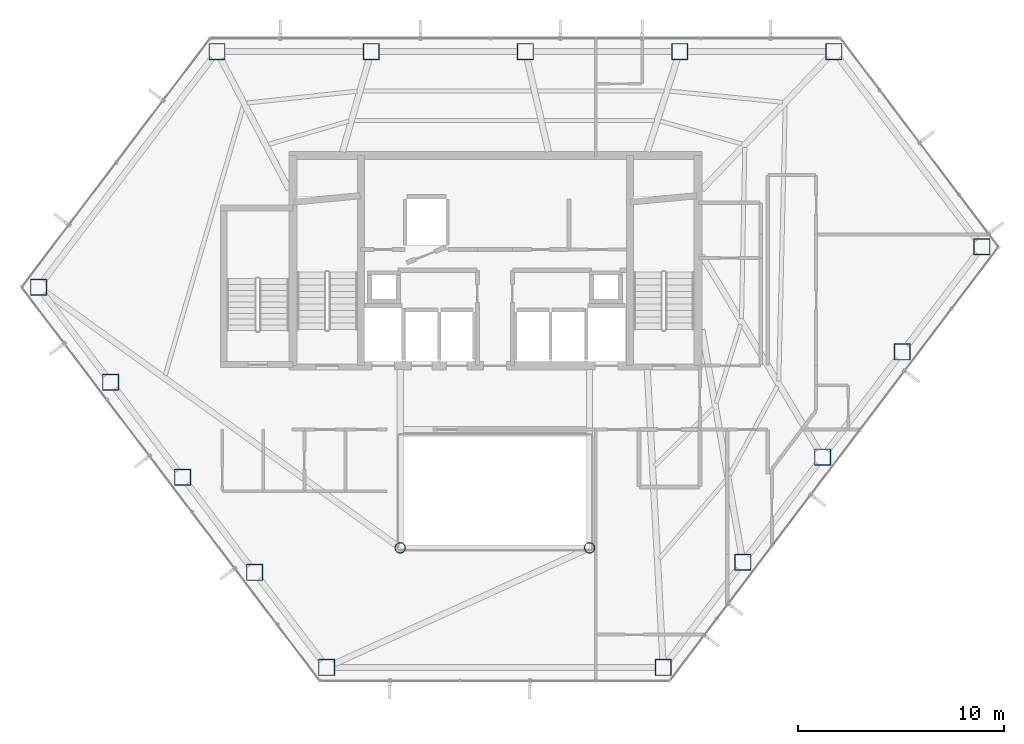
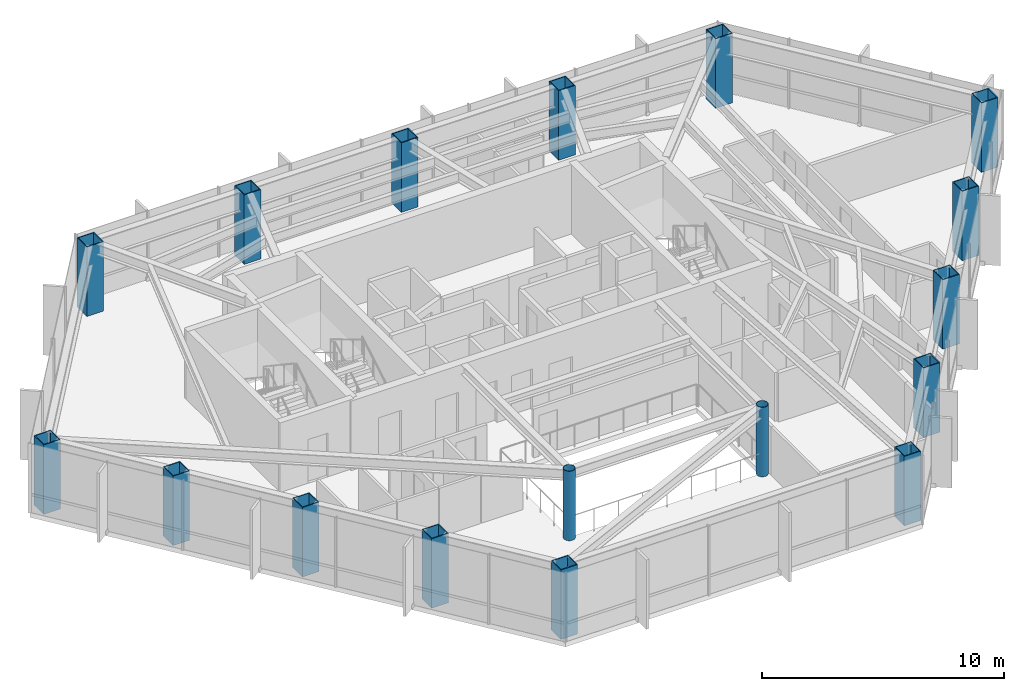
# One storey, part 1 of 29: 17 columns.
"""IFC4 building model written with IfcOpenShell, lengths in metres."""

from ifc_helpers import new_model, si_unit, direction, frame, origin, origin_2d, place, context, subcontext, project, spatial, hollow_rectangle, hollow_circle, extrude, material, material_profile, profile_set, type_object, element, save


model = new_model("IFC4")

# Units and contexts
model_context = context("Model", 3, precision=1e-05, world=origin(), true_north=direction((0.0, 1.0)))
body_context = subcontext(model_context, "Body", "Model", "MODEL_VIEW")
ifc_project = project(units=[si_unit("LENGTHUNIT", "METRE"), si_unit("AREAUNIT", "SQUARE_METRE"), si_unit("VOLUMEUNIT", "CUBIC_METRE"), si_unit("PLANEANGLEUNIT", "RADIAN"), si_unit("MASSUNIT", "GRAM", prefix="KILO")], contexts=[model_context])

# Site, building, storey
site_placement = place(None, origin())
site = spatial("IfcSite", under=ifc_project, at=site_placement, CompositionType="ELEMENT")
building_placement = place(site_placement, origin())
building = spatial("IfcBuilding", under=site, at=building_placement, Name="Zarrinselat Tower", CompositionType="ELEMENT")
storey_placement = place(building_placement, frame((0.0, 0.0, 138.3798828125)))
storey = spatial("IfcBuildingStorey", under=building, at=storey_placement, Name="L33", CompositionType="ELEMENT", Elevation=138.3798828125)

# Columns
ifc_material_1 = material(Name="Steel S355J2", Category="steel")
ifc_material_profile_1 = material_profile(ifc_material_1, hollow_circle(Radius=0.25390625, WallThickness=0.02001953125, at=origin_2d()), Name="CHS 508x20")
ifc_profile_set_1 = profile_set([ifc_material_profile_1], Name="Steel S355J2")
column_type_1 = type_object("IfcColumnType", Name="COL-CHS508", PredefinedType="COLUMN", material=ifc_profile_set_1)
for number, where, z_axis, x_axis, name in (
    (1, (33.800048828125, 24.39990234375, 0.0), (0.0, 0.0, 1.0), (1.0, 0.0, 0.0), "L33 Atrium Corner Column 1"),
    (2, (43.0, 24.39990234375, 0.0), (0.0, 0.0, 1.0), (1.0, 0.0, 0.0), "L33 Atrium Corner Column 2"),
):
    element("IfcColumn", number, at=place(storey_placement, frame(where, z_axis=z_axis, x_axis=x_axis)), inside=storey, type_object=column_type_1, Name=name, PredefinedType="COLUMN", context=body_context, shape_type="SweptSolid", body=[
        extrude(hollow_circle(Radius=0.25390625, WallThickness=0.02001953125, at=origin_2d()), origin(), (0.0, 0.0, 1.0), 3.5),
    ])
ifc_material_2 = material(Name="Steel S460M", Category="steel")
ifc_material_profile_2 = material_profile(ifc_material_2, hollow_rectangle(XDim=0.800048828125, YDim=0.800048828125, WallThickness=0.0400390625, at=origin_2d()), Name="SHS 800x800x40")
ifc_profile_set_2 = profile_set([ifc_material_profile_2], Name="Steel S460M")
column_type_2 = type_object("IfcColumnType", Name="COL-SHS800", PredefinedType="COLUMN", material=ifc_profile_set_2)
for number, where, z_axis, x_axis, name in (
    (3, (54.864990234375, 48.5, 0.0), (0.0, 0.0, 1.0), (1.0, 0.0, 0.0), "L33 Framed-Tube Column T01"),
    (4, (47.375, 48.5, 0.0), (0.0, 0.0, 1.0), (1.0, 0.0, 0.0), "L33 Framed-Tube Column T02"),
    (5, (39.884765625, 48.5, 0.0), (0.0, 0.0, 1.0), (1.0, 0.0, 0.0), "L33 Framed-Tube Column T03"),
    (6, (32.39453125, 48.5, 0.0), (0.0, 0.0, 1.0), (1.0, 0.0, 0.0), "L33 Framed-Tube Column T04"),
    (7, (24.904296875, 48.5, 0.0), (0.0, 0.0, 1.0), (1.0, 0.0, 0.0), "L33 Framed-Tube Column T05"),
    (8, (16.238037109375, 37.060302734375, 0.0), (0.0, 0.0, 1.0), (1.0, 0.0, 0.0), "L33 Framed-Tube Column T06"),
    (9, (19.735107421875, 32.444091796875, 0.0), (0.0, 0.0, 1.0), (1.0, 0.0, 0.0), "L33 Framed-Tube Column T07"),
    (10, (23.232177734375, 27.827880859375, 0.0), (0.0, 0.0, 1.0), (1.0, 0.0, 0.0), "L33 Framed-Tube Column T08"),
    (11, (26.72900390625, 23.2119140625, 0.0), (0.0, 0.0, 1.0), (1.0, 0.0, 0.0), "L33 Framed-Tube Column T09"),
    (12, (30.22607421875, 18.595703125, 0.0), (0.0, 0.0, 1.0), (1.0, 0.0, 0.0), "L33 Framed-Tube Column T10"),
    (13, (46.573974609375, 18.595703125, 0.0), (0.0, 0.0, 1.0), (1.0, 0.0, 0.0), "L33 Framed-Tube Column T11"),
    (14, (50.442138671875, 23.701904296875, 0.0), (0.0, 0.0, 1.0), (1.0, 0.0, 0.0), "L33 Framed-Tube Column T12"),
    (15, (54.310302734375, 28.807861328125, 0.0), (0.0, 0.0, 1.0), (1.0, 0.0, 0.0), "L33 Framed-Tube Column T13"),
    (16, (58.178466796875, 33.9140625, 0.0), (0.0, 0.0, 1.0), (1.0, 0.0, 0.0), "L33 Framed-Tube Column T14"),
    (17, (62.046630859375, 39.02001953125, 0.0), (0.0, 0.0, 1.0), (1.0, 0.0, 0.0), "L33 Framed-Tube Column T15"),
):
    element("IfcColumn", number, at=place(storey_placement, frame(where, z_axis=z_axis, x_axis=x_axis)), inside=storey, type_object=column_type_2, Name=name, PredefinedType="COLUMN", context=body_context, shape_type="SweptSolid", body=[
        extrude(hollow_rectangle(XDim=0.800048828125, YDim=0.800048828125, WallThickness=0.0400390625, at=origin_2d()), origin(), (0.0, 0.0, 1.0), 3.5),
    ])

save(model, "model.ifc")
